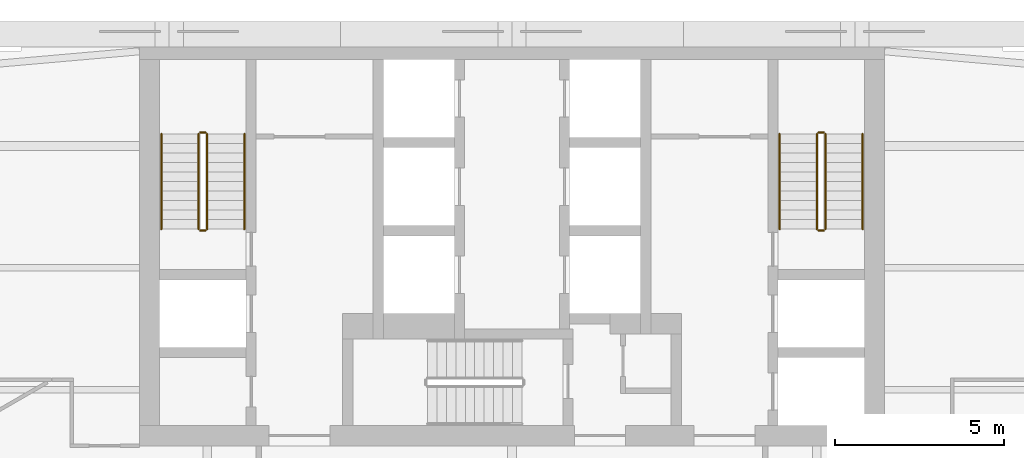
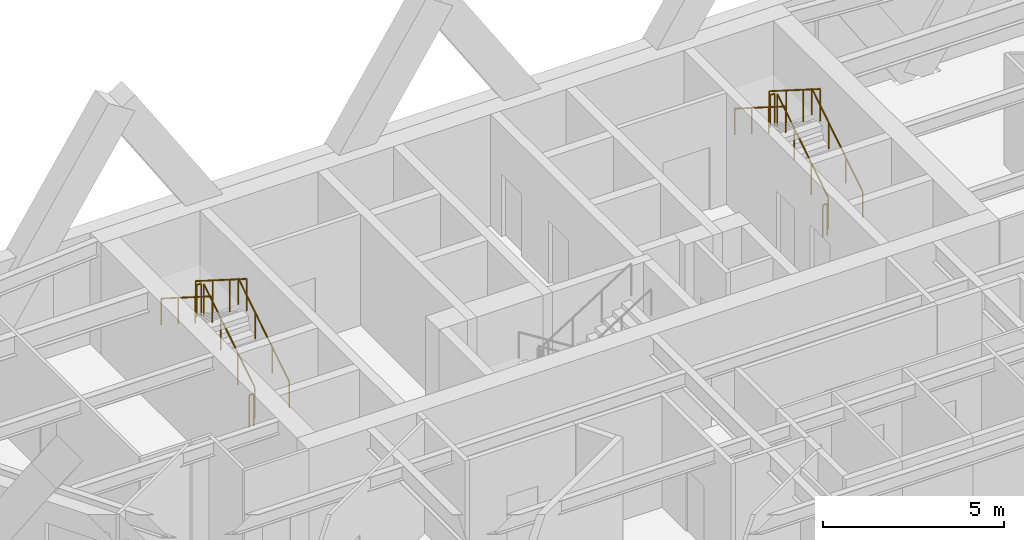
# One storey, part 11 of 11: 12 railings.
"""IFC4 building model written with IfcOpenShell, lengths in metres."""

from ifc_helpers import new_model, si_unit, direction, frame, origin, origin_2d, place, context, subcontext, project, spatial, circle, extrude, material, type_object, element, save


model = new_model("IFC4")

# Units and contexts
model_context = context("Model", 3, precision=1e-05, world=origin(), true_north=direction((0.0, 1.0)))
body_context = subcontext(model_context, "Body", "Model", "MODEL_VIEW")
ifc_project = project(units=[si_unit("LENGTHUNIT", "METRE"), si_unit("AREAUNIT", "SQUARE_METRE"), si_unit("VOLUMEUNIT", "CUBIC_METRE"), si_unit("PLANEANGLEUNIT", "RADIAN"), si_unit("MASSUNIT", "GRAM", prefix="KILO")], contexts=[model_context])

# Site, building, storey
site_placement = place(None, origin())
site = spatial("IfcSite", under=ifc_project, at=site_placement, CompositionType="ELEMENT")
building_placement = place(site_placement, origin())
building = spatial("IfcBuilding", under=site, at=building_placement, Name="Aloe Facet Convention Tower", CompositionType="ELEMENT")
storey_placement = place(building_placement, frame((0.0, 0.0, 167.60009765625)))
storey = spatial("IfcBuildingStorey", under=building, at=storey_placement, Name="L42", CompositionType="ELEMENT", Elevation=167.60009765625)

# Railings
ifc_material_1 = material(Name="Steel S355 balustrade", Category="steel")
railing_type_1 = type_object("IfcRailingType", Name="CR-RL-GUARD", PredefinedType="GUARDRAIL", material=ifc_material_1)
railing_1_placement = place(storey_placement, frame((71.0, 128.949951171875, 0.17724609375)))
element("IfcRailing", 1, at=railing_1_placement, inside=storey, type_object=railing_type_1, Name="L42 ST1 stair guard 1", PredefinedType="GUARDRAIL", context=body_context, shape_type="SweptSolid", body=[
    extrude(circle(Radius=0.02392578125, at=origin_2d()), frame((0.0, 0.0, 1.076171875), z_axis=(0.0, 0.844908973607, 0.534910110503), x_axis=(-1.0, 0.0, 0.0)), (0.0, 0.0, 1.0), 3.31396484375),
    extrude(circle(Radius=0.02099609375, at=origin_2d()), origin(), (0.0, 0.0, 1.0), 1.052001953125),
    extrude(circle(Radius=0.02099609375, at=origin_2d()), frame((0.0, 0.933349609375, 0.5908203125)), (0.0, 0.0, 1.0), 1.052001953125),
    extrude(circle(Radius=0.02099609375, at=origin_2d()), frame((0.0, 1.86669921875, 1.181884765625)), (0.0, 0.0, 1.0), 1.052001953125),
    extrude(circle(Radius=0.02099609375, at=origin_2d()), frame((0.0, 2.800048828125, 1.772705078125)), (0.0, 0.0, 1.0), 1.052001953125),
])
railing_2_placement = place(storey_placement, frame((70.949951171875, 131.800048828125, 1.949951171875)))
element("IfcRailing", 2, at=railing_2_placement, inside=storey, type_object=railing_type_1, Name="L42 ST1 stair guard 2", PredefinedType="GUARDRAIL", context=body_context, shape_type="SweptSolid", body=[
    extrude(circle(Radius=0.02392578125, at=origin_2d()), frame((0.0, 0.0, 1.076171875), z_axis=(-1.0, 0.0, 0.0), x_axis=(0.0, -1.0, 0.0)), (0.0, 0.0, 1.0), 0.14990234375),
    extrude(circle(Radius=0.02099609375, at=origin_2d()), origin(), (0.0, 0.0, 1.0), 1.052001953125),
    extrude(circle(Radius=0.02099609375, at=origin_2d()), frame((-0.14990234375, 0.0, 0.0)), (0.0, 0.0, 1.0), 1.052001953125),
])
railing_3_placement = place(storey_placement, frame((70.75, 131.75, 2.127197265625)))
element("IfcRailing", 3, at=railing_3_placement, inside=storey, type_object=railing_type_1, Name="L42 ST1 stair guard 3", PredefinedType="GUARDRAIL", context=body_context, shape_type="SweptSolid", body=[
    extrude(circle(Radius=0.02392578125, at=origin_2d()), frame((0.0, 0.0, 1.076171875), z_axis=(0.0, -0.844908973607, 0.534910110503), x_axis=(1.0, 0.0, 0.0)), (0.0, 0.0, 1.0), 3.31396484375),
    extrude(circle(Radius=0.02099609375, at=origin_2d()), origin(), (0.0, 0.0, 1.0), 1.052001953125),
    extrude(circle(Radius=0.02099609375, at=origin_2d()), frame((0.0, -0.933349609375, 0.5908203125)), (0.0, 0.0, 1.0), 1.052001953125),
    extrude(circle(Radius=0.02099609375, at=origin_2d()), frame((0.0, -1.86669921875, 1.181884765625)), (0.0, 0.0, 1.0), 1.052001953125),
    extrude(circle(Radius=0.02099609375, at=origin_2d()), frame((0.0, -2.800048828125, 1.772705078125)), (0.0, 0.0, 1.0), 1.052001953125),
])
railing_4_placement = place(storey_placement, frame((70.949951171875, 128.89990234375, 0.0)))
element("IfcRailing", 4, at=railing_4_placement, inside=storey, type_object=railing_type_1, Name="L42 ST1 stair guard 4", PredefinedType="GUARDRAIL", context=body_context, shape_type="SweptSolid", body=[
    extrude(circle(Radius=0.02392578125, at=origin_2d()), frame((0.0, 0.0, 1.076171875), z_axis=(-1.0, 0.0, 0.0), x_axis=(0.0, -1.0, 0.0)), (0.0, 0.0, 1.0), 0.14990234375),
    extrude(circle(Radius=0.02099609375, at=origin_2d()), origin(), (0.0, 0.0, 1.0), 1.052001953125),
    extrude(circle(Radius=0.02099609375, at=origin_2d()), frame((-0.14990234375, 0.0, 0.0)), (0.0, 0.0, 1.0), 1.052001953125),
])
railing_5_placement = place(storey_placement, frame((89.25, 128.949951171875, 0.17724609375)))
element("IfcRailing", 5, at=railing_5_placement, inside=storey, type_object=railing_type_1, Name="L42 ST2 stair guard 1", PredefinedType="GUARDRAIL", context=body_context, shape_type="SweptSolid", body=[
    extrude(circle(Radius=0.02392578125, at=origin_2d()), frame((0.0, 0.0, 1.076171875), z_axis=(0.0, 0.844908973607, 0.534910110503), x_axis=(-1.0, 0.0, 0.0)), (0.0, 0.0, 1.0), 3.31396484375),
    extrude(circle(Radius=0.02099609375, at=origin_2d()), origin(), (0.0, 0.0, 1.0), 1.052001953125),
    extrude(circle(Radius=0.02099609375, at=origin_2d()), frame((0.0, 0.933349609375, 0.5908203125)), (0.0, 0.0, 1.0), 1.052001953125),
    extrude(circle(Radius=0.02099609375, at=origin_2d()), frame((0.0, 1.86669921875, 1.181884765625)), (0.0, 0.0, 1.0), 1.052001953125),
    extrude(circle(Radius=0.02099609375, at=origin_2d()), frame((0.0, 2.800048828125, 1.772705078125)), (0.0, 0.0, 1.0), 1.052001953125),
])
railing_6_placement = place(storey_placement, frame((89.199951171875, 131.800048828125, 1.949951171875)))
element("IfcRailing", 6, at=railing_6_placement, inside=storey, type_object=railing_type_1, Name="L42 ST2 stair guard 2", PredefinedType="GUARDRAIL", context=body_context, shape_type="SweptSolid", body=[
    extrude(circle(Radius=0.02392578125, at=origin_2d()), frame((0.0, 0.0, 1.076171875), z_axis=(-1.0, 0.0, 0.0), x_axis=(0.0, -1.0, 0.0)), (0.0, 0.0, 1.0), 0.14990234375),
    extrude(circle(Radius=0.02099609375, at=origin_2d()), origin(), (0.0, 0.0, 1.0), 1.052001953125),
    extrude(circle(Radius=0.02099609375, at=origin_2d()), frame((-0.14990234375, 0.0, 0.0)), (0.0, 0.0, 1.0), 1.052001953125),
])
railing_7_placement = place(storey_placement, frame((89.0, 131.75, 2.127197265625)))
element("IfcRailing", 7, at=railing_7_placement, inside=storey, type_object=railing_type_1, Name="L42 ST2 stair guard 3", PredefinedType="GUARDRAIL", context=body_context, shape_type="SweptSolid", body=[
    extrude(circle(Radius=0.02392578125, at=origin_2d()), frame((0.0, 0.0, 1.076171875), z_axis=(0.0, -0.844908973607, 0.534910110503), x_axis=(1.0, 0.0, 0.0)), (0.0, 0.0, 1.0), 3.31396484375),
    extrude(circle(Radius=0.02099609375, at=origin_2d()), origin(), (0.0, 0.0, 1.0), 1.052001953125),
    extrude(circle(Radius=0.02099609375, at=origin_2d()), frame((0.0, -0.933349609375, 0.5908203125)), (0.0, 0.0, 1.0), 1.052001953125),
    extrude(circle(Radius=0.02099609375, at=origin_2d()), frame((0.0, -1.86669921875, 1.181884765625)), (0.0, 0.0, 1.0), 1.052001953125),
    extrude(circle(Radius=0.02099609375, at=origin_2d()), frame((0.0, -2.800048828125, 1.772705078125)), (0.0, 0.0, 1.0), 1.052001953125),
])
railing_8_placement = place(storey_placement, frame((89.199951171875, 128.89990234375, 0.0)))
element("IfcRailing", 8, at=railing_8_placement, inside=storey, type_object=railing_type_1, Name="L42 ST2 stair guard 4", PredefinedType="GUARDRAIL", context=body_context, shape_type="SweptSolid", body=[
    extrude(circle(Radius=0.02392578125, at=origin_2d()), frame((0.0, 0.0, 1.076171875), z_axis=(-1.0, 0.0, 0.0), x_axis=(0.0, -1.0, 0.0)), (0.0, 0.0, 1.0), 0.14990234375),
    extrude(circle(Radius=0.02099609375, at=origin_2d()), origin(), (0.0, 0.0, 1.0), 1.052001953125),
    extrude(circle(Radius=0.02099609375, at=origin_2d()), frame((-0.14990234375, 0.0, 0.0)), (0.0, 0.0, 1.0), 1.052001953125),
])
ifc_material_2 = material(Name="Steel S355 handrail", Category="steel")
railing_type_2 = type_object("IfcRailingType", Name="CR-RL-HAND", PredefinedType="HANDRAIL", material=ifc_material_2)
railing_9_placement = place(storey_placement, frame((72.10009765625, 128.949951171875, 0.17724609375)))
element("IfcRailing", 9, at=railing_9_placement, inside=storey, type_object=railing_type_2, Name="L42 ST1 stair handrail 1", PredefinedType="HANDRAIL", context=body_context, shape_type="SweptSolid", body=[
    extrude(circle(Radius=0.02392578125, at=origin_2d()), frame((0.0, 0.0, 0.8759765625), z_axis=(0.0, 0.844908973607, 0.534910110503), x_axis=(-1.0, 0.0, 0.0)), (0.0, 0.0, 1.0), 3.31396484375),
    extrude(circle(Radius=0.02099609375, at=origin_2d()), origin(), (0.0, 0.0, 1.0), 0.851806640625),
    extrude(circle(Radius=0.02099609375, at=origin_2d()), frame((0.0, 0.933349609375, 0.5908203125)), (0.0, 0.0, 1.0), 0.851806640625),
    extrude(circle(Radius=0.02099609375, at=origin_2d()), frame((0.0, 1.86669921875, 1.181884765625)), (0.0, 0.0, 1.0), 0.851806640625),
    extrude(circle(Radius=0.02099609375, at=origin_2d()), frame((0.0, 2.800048828125, 1.772705078125)), (0.0, 0.0, 1.0), 0.851806640625),
])
railing_10_placement = place(storey_placement, frame((69.64990234375, 131.75, 2.127197265625)))
element("IfcRailing", 10, at=railing_10_placement, inside=storey, type_object=railing_type_2, Name="L42 ST1 stair handrail 2", PredefinedType="HANDRAIL", context=body_context, shape_type="SweptSolid", body=[
    extrude(circle(Radius=0.02392578125, at=origin_2d()), frame((0.0, 0.0, 0.8759765625), z_axis=(0.0, -0.844908973607, 0.534910110503), x_axis=(1.0, 0.0, 0.0)), (0.0, 0.0, 1.0), 3.31396484375),
    extrude(circle(Radius=0.02099609375, at=origin_2d()), origin(), (0.0, 0.0, 1.0), 0.851806640625),
    extrude(circle(Radius=0.02099609375, at=origin_2d()), frame((0.0, -0.933349609375, 0.5908203125)), (0.0, 0.0, 1.0), 0.851806640625),
    extrude(circle(Radius=0.02099609375, at=origin_2d()), frame((0.0, -1.86669921875, 1.181884765625)), (0.0, 0.0, 1.0), 0.851806640625),
    extrude(circle(Radius=0.02099609375, at=origin_2d()), frame((0.0, -2.800048828125, 1.772705078125)), (0.0, 0.0, 1.0), 0.851806640625),
])
railing_11_placement = place(storey_placement, frame((90.35009765625, 128.949951171875, 0.17724609375)))
element("IfcRailing", 11, at=railing_11_placement, inside=storey, type_object=railing_type_2, Name="L42 ST2 stair handrail 1", PredefinedType="HANDRAIL", context=body_context, shape_type="SweptSolid", body=[
    extrude(circle(Radius=0.02392578125, at=origin_2d()), frame((0.0, 0.0, 0.8759765625), z_axis=(0.0, 0.844908973607, 0.534910110503), x_axis=(-1.0, 0.0, 0.0)), (0.0, 0.0, 1.0), 3.31396484375),
    extrude(circle(Radius=0.02099609375, at=origin_2d()), origin(), (0.0, 0.0, 1.0), 0.851806640625),
    extrude(circle(Radius=0.02099609375, at=origin_2d()), frame((0.0, 0.933349609375, 0.5908203125)), (0.0, 0.0, 1.0), 0.851806640625),
    extrude(circle(Radius=0.02099609375, at=origin_2d()), frame((0.0, 1.86669921875, 1.181884765625)), (0.0, 0.0, 1.0), 0.851806640625),
    extrude(circle(Radius=0.02099609375, at=origin_2d()), frame((0.0, 2.800048828125, 1.772705078125)), (0.0, 0.0, 1.0), 0.851806640625),
])
railing_12_placement = place(storey_placement, frame((87.89990234375, 131.75, 2.127197265625)))
element("IfcRailing", 12, at=railing_12_placement, inside=storey, type_object=railing_type_2, Name="L42 ST2 stair handrail 2", PredefinedType="HANDRAIL", context=body_context, shape_type="SweptSolid", body=[
    extrude(circle(Radius=0.02392578125, at=origin_2d()), frame((0.0, 0.0, 0.8759765625), z_axis=(0.0, -0.844908973607, 0.534910110503), x_axis=(1.0, 0.0, 0.0)), (0.0, 0.0, 1.0), 3.31396484375),
    extrude(circle(Radius=0.02099609375, at=origin_2d()), origin(), (0.0, 0.0, 1.0), 0.851806640625),
    extrude(circle(Radius=0.02099609375, at=origin_2d()), frame((0.0, -0.933349609375, 0.5908203125)), (0.0, 0.0, 1.0), 0.851806640625),
    extrude(circle(Radius=0.02099609375, at=origin_2d()), frame((0.0, -1.86669921875, 1.181884765625)), (0.0, 0.0, 1.0), 0.851806640625),
    extrude(circle(Radius=0.02099609375, at=origin_2d()), frame((0.0, -2.800048828125, 1.772705078125)), (0.0, 0.0, 1.0), 0.851806640625),
])

save(model, "model.ifc")
